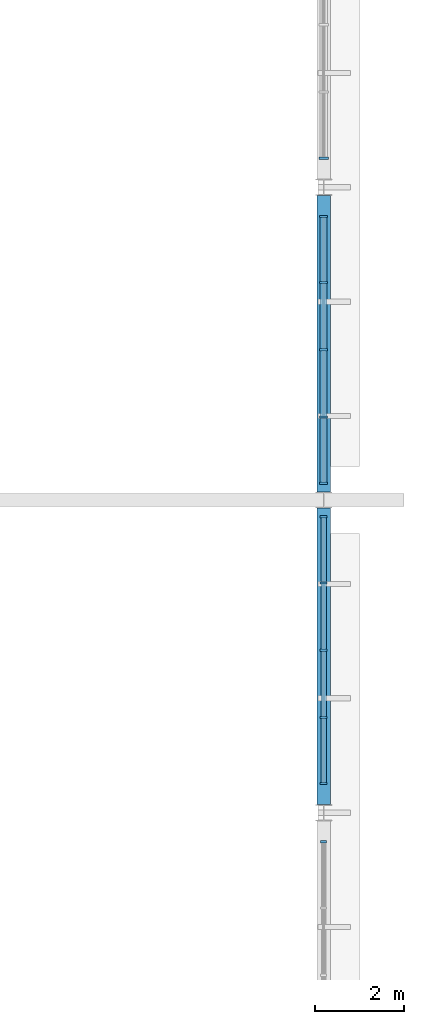
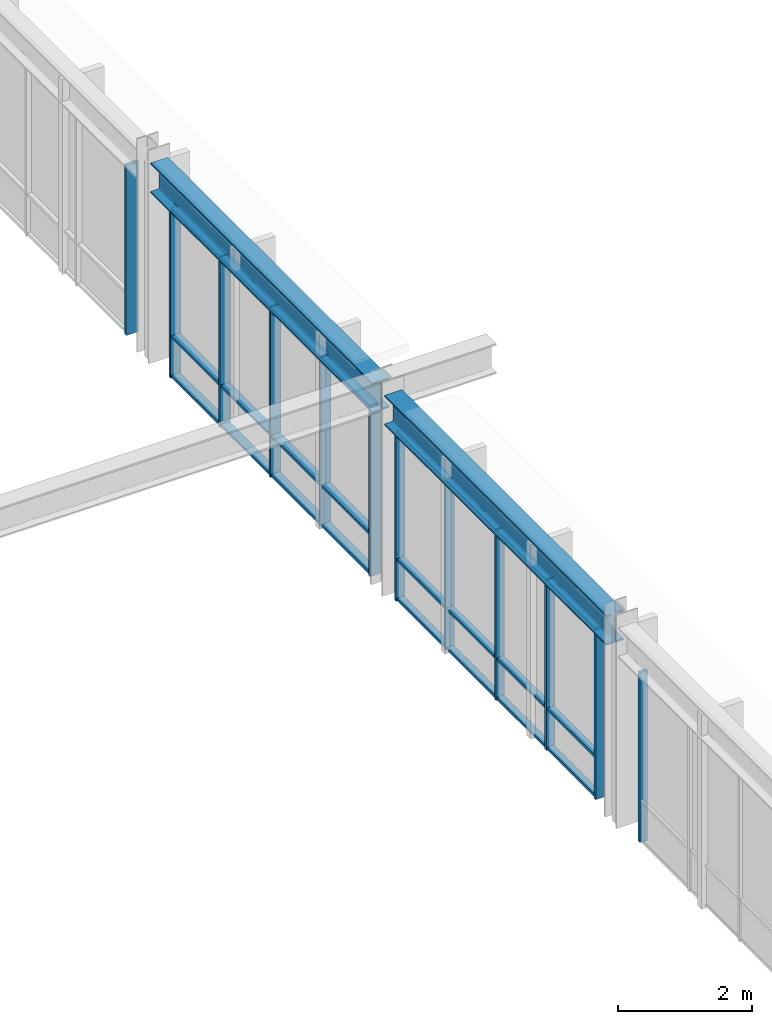
# One storey, part 33 of 98: 36 members, 2 beams, 4 elements without a shape of their own.
"""IFC4 building model written with IfcOpenShell, lengths in metres."""

from ifc_helpers import new_model, si_unit, direction, frame, origin, origin_2d, place, context, subcontext, project, spatial, rectangle, i_section, extrude, material, material_profile, profile_set, type_object, element, aggregate, save


model = new_model("IFC4")

# Units and contexts
model_context = context("Model", 3, precision=1e-05, world=origin(), true_north=direction((0.0, 1.0)))
body_context = subcontext(model_context, "Body", "Model", "MODEL_VIEW")
ifc_project = project(units=[si_unit("LENGTHUNIT", "METRE"), si_unit("AREAUNIT", "SQUARE_METRE"), si_unit("VOLUMEUNIT", "CUBIC_METRE"), si_unit("PLANEANGLEUNIT", "RADIAN"), si_unit("MASSUNIT", "GRAM", prefix="KILO")], contexts=[model_context])

# Site, building, storey
site_placement = place(None, origin())
site = spatial("IfcSite", under=ifc_project, at=site_placement, CompositionType="ELEMENT")
building_placement = place(site_placement, origin())
building = spatial("IfcBuilding", under=site, at=building_placement, Name="Larkveld Mobility Hub", CompositionType="ELEMENT")
storey_placement = place(building_placement, frame((0.0, 0.0, 4.5)))
storey = spatial("IfcBuildingStorey", under=building, at=storey_placement, Name="L01", CompositionType="ELEMENT", Elevation=4.5)

# Beams
ifc_material_1 = material(Name="Steel S355JR", Category="steel")
ifc_material_profile_1 = material_profile(ifc_material_1, i_section(OverallWidth=0.300048828125, OverallDepth=0.550048828125, WebThickness=0.014892578125, FlangeThickness=0.029052734375, FilletRadius=0.027099609375, at=origin_2d()), Name="HEB 550")
ifc_profile_set_1 = profile_set([ifc_material_profile_1], Name="Steel S355JR")
beam_type = type_object("IfcBeamType", Name="BM-STHEB550", PredefinedType="BEAM", material=ifc_profile_set_1)
for number, where, z_axis, x_axis, name in (
    (1, (184.0, 49.18408203125, 3.385009765625), (0.0, 1.0, 0.0), (-1.0, 0.0, 0.0), "Primary N-S Girder L01-0473"),
    (2, (184.0, 56.18408203125, 3.385009765625), (0.0, 1.0, 0.0), (-1.0, 0.0, 0.0), "Primary N-S Girder L01-0474"),
):
    element("IfcBeam", number, at=place(storey_placement, frame(where, z_axis=z_axis, x_axis=x_axis)), inside=storey, type_object=beam_type, Name=name, PredefinedType="BEAM", context=body_context, shape_type="SweptSolid", body=[
        extrude(i_section(OverallWidth=0.300048828125, OverallDepth=0.550048828125, WebThickness=0.014892578125, FlangeThickness=0.029052734375, FilletRadius=0.027099609375, at=origin_2d()), origin(), (0.0, 0.0, 1.0), 6.6318359375),
    ])

# Curtain wall, members
ifc_material_2 = material(Name="Anodised aluminium 6063-T6", Category="aluminium")
curtain_wall_type_1 = type_object("IfcCurtainWallType", Name="CW-SYS-05", PredefinedType="NOTDEFINED", material=ifc_material_2)
curtain_wall_1_placement = place(storey_placement, origin())
curtain_wall_1 = element("IfcCurtainWall", 3, at=curtain_wall_1_placement, inside=storey, type_object=curtain_wall_type_1, Name="Bus Hall Upper East Glazing B2 CW-053", PredefinedType="NOTDEFINED")
ifc_material_profile_2 = material_profile(ifc_material_2, rectangle(XDim=0.050048828125, YDim=0.14990234375, at=origin_2d()), Name="ALU MULL 50x150")
ifc_profile_set_2 = profile_set([ifc_material_profile_2], Name="Anodised aluminium 6063-T6")
member_type_1 = type_object("IfcMemberType", Name="CW-MUL-01", PredefinedType="MULLION", material=ifc_profile_set_2)
member_1_placement = place(storey_placement, frame((184.0, 49.65087890625, -0.001953125), z_axis=(0.0, 0.0, 1.0), x_axis=(0.0, 1.0, 0.0)))
member_1 = element("IfcMember", 4, at=member_1_placement, type_object=member_type_1, Name="CW05 mullion 1", PredefinedType="MULLION", context=body_context, shape_type="SweptSolid", body=[
    extrude(rectangle(XDim=0.050048828125, YDim=0.14990234375, at=origin_2d()), origin(), (0.0, 0.0, 1.0), 3.112060546875),
])
member_2_placement = place(storey_placement, frame((184.0, 51.132080078125, -0.001953125), z_axis=(0.0, 0.0, 1.0), x_axis=(0.0, 1.0, 0.0)))
member_2 = element("IfcMember", 5, at=member_2_placement, type_object=member_type_1, Name="CW05 mullion 2", PredefinedType="MULLION", context=body_context, shape_type="SweptSolid", body=[
    extrude(rectangle(XDim=0.050048828125, YDim=0.14990234375, at=origin_2d()), origin(), (0.0, 0.0, 1.0), 3.112060546875),
])
member_3_placement = place(storey_placement, frame((184.0, 52.637939453125, -0.001953125), z_axis=(0.0, 0.0, 1.0), x_axis=(0.0, 1.0, 0.0)))
member_3 = element("IfcMember", 6, at=member_3_placement, type_object=member_type_1, Name="CW05 mullion 3", PredefinedType="MULLION", context=body_context, shape_type="SweptSolid", body=[
    extrude(rectangle(XDim=0.050048828125, YDim=0.14990234375, at=origin_2d()), origin(), (0.0, 0.0, 1.0), 3.112060546875),
])
member_4_placement = place(storey_placement, frame((184.0, 54.14404296875, -0.001953125), z_axis=(0.0, 0.0, 1.0), x_axis=(0.0, 1.0, 0.0)))
member_4 = element("IfcMember", 7, at=member_4_placement, type_object=member_type_1, Name="CW05 mullion 4", PredefinedType="MULLION", context=body_context, shape_type="SweptSolid", body=[
    extrude(rectangle(XDim=0.050048828125, YDim=0.14990234375, at=origin_2d()), origin(), (0.0, 0.0, 1.0), 3.112060546875),
])
member_5_placement = place(storey_placement, frame((184.0, 55.625, -0.001953125), z_axis=(0.0, 0.0, 1.0), x_axis=(0.0, 1.0, 0.0)))
member_5 = element("IfcMember", 8, at=member_5_placement, type_object=member_type_1, Name="CW05 mullion 5", PredefinedType="MULLION", context=body_context, shape_type="SweptSolid", body=[
    extrude(rectangle(XDim=0.050048828125, YDim=0.14990234375, at=origin_2d()), origin(), (0.0, 0.0, 1.0), 3.112060546875),
])

curtain_wall_type_2 = type_object("IfcCurtainWallType", Name="CW-SYS-06", PredefinedType="NOTDEFINED", material=ifc_material_2)
curtain_wall_2_placement = place(storey_placement, origin())
curtain_wall_2 = element("IfcCurtainWall", 9, at=curtain_wall_2_placement, inside=storey, type_object=curtain_wall_type_2, Name="Bus Hall Upper East Glazing B3 CW-054", PredefinedType="NOTDEFINED")
ifc_material_profile_3 = material_profile(ifc_material_2, rectangle(XDim=0.050048828125, YDim=0.179931640625, at=origin_2d()), Name="ALU MULL 50x180")
ifc_profile_set_3 = profile_set([ifc_material_profile_3], Name="Anodised aluminium 6063-T6")
member_type_2 = type_object("IfcMemberType", Name="CW-MUL-02", PredefinedType="MULLION", material=ifc_profile_set_3)
member_6_placement = place(storey_placement, frame((184.0, 56.375, -0.001953125), z_axis=(0.0, 0.0, 1.0), x_axis=(0.0, 1.0, 0.0)))
member_6 = element("IfcMember", 10, at=member_6_placement, type_object=member_type_2, Name="CW06 mullion 1", PredefinedType="MULLION", context=body_context, shape_type="SweptSolid", body=[
    extrude(rectangle(XDim=0.050048828125, YDim=0.179931640625, at=origin_2d()), origin(), (0.0, 0.0, 1.0), 3.112060546875),
])
member_7_placement = place(storey_placement, frame((184.0, 57.85595703125, -0.001953125), z_axis=(0.0, 0.0, 1.0), x_axis=(0.0, 1.0, 0.0)))
member_7 = element("IfcMember", 11, at=member_7_placement, type_object=member_type_2, Name="CW06 mullion 2", PredefinedType="MULLION", context=body_context, shape_type="SweptSolid", body=[
    extrude(rectangle(XDim=0.050048828125, YDim=0.179931640625, at=origin_2d()), origin(), (0.0, 0.0, 1.0), 3.112060546875),
])
member_8_placement = place(storey_placement, frame((184.0, 59.362060546875, -0.001953125), z_axis=(0.0, 0.0, 1.0), x_axis=(0.0, 1.0, 0.0)))
member_8 = element("IfcMember", 12, at=member_8_placement, type_object=member_type_2, Name="CW06 mullion 3", PredefinedType="MULLION", context=body_context, shape_type="SweptSolid", body=[
    extrude(rectangle(XDim=0.050048828125, YDim=0.179931640625, at=origin_2d()), origin(), (0.0, 0.0, 1.0), 3.112060546875),
])
member_9_placement = place(storey_placement, frame((184.0, 60.867919921875, -0.001953125), z_axis=(0.0, 0.0, 1.0), x_axis=(0.0, 1.0, 0.0)))
member_9 = element("IfcMember", 13, at=member_9_placement, type_object=member_type_2, Name="CW06 mullion 4", PredefinedType="MULLION", context=body_context, shape_type="SweptSolid", body=[
    extrude(rectangle(XDim=0.050048828125, YDim=0.179931640625, at=origin_2d()), origin(), (0.0, 0.0, 1.0), 3.112060546875),
])
member_10_placement = place(storey_placement, frame((184.0, 62.34912109375, -0.001953125), z_axis=(0.0, 0.0, 1.0), x_axis=(0.0, 1.0, 0.0)))
member_10 = element("IfcMember", 14, at=member_10_placement, type_object=member_type_2, Name="CW06 mullion 5", PredefinedType="MULLION", context=body_context, shape_type="SweptSolid", body=[
    extrude(rectangle(XDim=0.050048828125, YDim=0.179931640625, at=origin_2d()), origin(), (0.0, 0.0, 1.0), 3.112060546875),
])

# Curtain wall, member
curtain_wall_type_3 = type_object("IfcCurtainWallType", Name="CW-SYS-07", PredefinedType="NOTDEFINED", material=ifc_material_2)
curtain_wall_3_placement = place(storey_placement, origin())
curtain_wall_3 = element("IfcCurtainWall", 15, at=curtain_wall_3_placement, inside=storey, type_object=curtain_wall_type_3, Name="Bus Hall Upper East Glazing B3 CW-055", PredefinedType="NOTDEFINED")
ifc_material_profile_4 = material_profile(ifc_material_2, rectangle(XDim=0.050048828125, YDim=0.2099609375, at=origin_2d()), Name="ALU MULL 50x210")
ifc_profile_set_4 = profile_set([ifc_material_profile_4], Name="Anodised aluminium 6063-T6")
member_type_3 = type_object("IfcMemberType", Name="CW-MUL-03", PredefinedType="MULLION", material=ifc_profile_set_4)
member_11_placement = place(storey_placement, frame((184.0, 63.65087890625, -0.001953125), z_axis=(0.0, 0.0, 1.0), x_axis=(0.0, 1.0, 0.0)))
member_11 = element("IfcMember", 16, at=member_11_placement, type_object=member_type_3, Name="CW07 mullion 1", PredefinedType="MULLION", context=body_context, shape_type="SweptSolid", body=[
    extrude(rectangle(XDim=0.050048828125, YDim=0.2099609375, at=origin_2d()), origin(), (0.0, 0.0, 1.0), 3.112060546875),
])
aggregate(curtain_wall_3, [member_11])

curtain_wall_type_4 = type_object("IfcCurtainWallType", Name="CW-SYS-04", PredefinedType="NOTDEFINED", material=ifc_material_2)
curtain_wall_4_placement = place(storey_placement, origin())
curtain_wall_4 = element("IfcCurtainWall", 17, at=curtain_wall_4_placement, inside=storey, type_object=curtain_wall_type_4, Name="Bus Hall Upper East Glazing B2 CW-052", PredefinedType="NOTDEFINED")
ifc_material_profile_5 = material_profile(ifc_material_2, rectangle(XDim=0.050048828125, YDim=0.1298828125, at=origin_2d()), Name="ALU MULL 50x130")
ifc_profile_set_5 = profile_set([ifc_material_profile_5], Name="Anodised aluminium 6063-T6")
member_type_4 = type_object("IfcMemberType", Name="CW-MUL-04", PredefinedType="MULLION", material=ifc_profile_set_5)
member_12_placement = place(storey_placement, frame((184.0, 48.34912109375, -0.001953125), z_axis=(0.0, 0.0, 1.0), x_axis=(0.0, 1.0, 0.0)))
member_12 = element("IfcMember", 18, at=member_12_placement, type_object=member_type_4, Name="CW04 mullion 5", PredefinedType="MULLION", context=body_context, shape_type="SweptSolid", body=[
    extrude(rectangle(XDim=0.050048828125, YDim=0.1298828125, at=origin_2d()), origin(), (0.0, 0.0, 1.0), 3.112060546875),
])
aggregate(curtain_wall_4, [member_12])

# Member
ifc_material_profile_6 = material_profile(ifc_material_2, rectangle(XDim=0.1201171875, YDim=0.050048828125, at=origin_2d()), Name="ALU TRAN 50x120")
ifc_profile_set_6 = profile_set([ifc_material_profile_6], Name="Anodised aluminium 6063-T6")
member_type_5 = type_object("IfcMemberType", Name="CW-TRN-01", PredefinedType="USERDEFINED", material=ifc_profile_set_6)
member_13_placement = place(storey_placement, frame((184.0, 49.660888671875, 0.030029296875), z_axis=(0.0, 1.0, 0.0), x_axis=(-1.0, 0.0, 0.0)))
member_13 = element("IfcMember", 19, at=member_13_placement, type_object=member_type_5, Name="CW05 transom 1.1", ObjectType="TRANSOM", PredefinedType="USERDEFINED", context=body_context, shape_type="SweptSolid", body=[
    extrude(rectangle(XDim=0.1201171875, YDim=0.050048828125, at=origin_2d()), origin(), (0.0, 0.0, 1.0), 1.4560546875),
])

member_14_placement = place(storey_placement, frame((184.0, 49.660888671875, 0.75), z_axis=(0.0, 1.0, 0.0), x_axis=(-1.0, 0.0, 0.0)))
member_14 = element("IfcMember", 20, at=member_14_placement, type_object=member_type_5, Name="CW05 transom 1.2", ObjectType="TRANSOM", PredefinedType="USERDEFINED", context=body_context, shape_type="SweptSolid", body=[
    extrude(rectangle(XDim=0.1201171875, YDim=0.050048828125, at=origin_2d()), origin(), (0.0, 0.0, 1.0), 1.4560546875),
])

member_15_placement = place(storey_placement, frame((184.0, 49.660888671875, 3.077880859375), z_axis=(0.0, 1.0, 0.0), x_axis=(-1.0, 0.0, 0.0)))
member_15 = element("IfcMember", 21, at=member_15_placement, type_object=member_type_5, Name="CW05 transom 1.3", ObjectType="TRANSOM", PredefinedType="USERDEFINED", context=body_context, shape_type="SweptSolid", body=[
    extrude(rectangle(XDim=0.1201171875, YDim=0.050048828125, at=origin_2d()), origin(), (0.0, 0.0, 1.0), 1.4560546875),
])

member_16_placement = place(storey_placement, frame((184.0, 51.14697265625, 0.030029296875), z_axis=(0.0, 1.0, 0.0), x_axis=(-1.0, 0.0, 0.0)))
member_16 = element("IfcMember", 22, at=member_16_placement, type_object=member_type_5, Name="CW05 transom 2.1", ObjectType="TRANSOM", PredefinedType="USERDEFINED", context=body_context, shape_type="SweptSolid", body=[
    extrude(rectangle(XDim=0.1201171875, YDim=0.050048828125, at=origin_2d()), origin(), (0.0, 0.0, 1.0), 1.47607421875),
])

member_17_placement = place(storey_placement, frame((184.0, 51.14697265625, 0.75), z_axis=(0.0, 1.0, 0.0), x_axis=(-1.0, 0.0, 0.0)))
member_17 = element("IfcMember", 23, at=member_17_placement, type_object=member_type_5, Name="CW05 transom 2.2", ObjectType="TRANSOM", PredefinedType="USERDEFINED", context=body_context, shape_type="SweptSolid", body=[
    extrude(rectangle(XDim=0.1201171875, YDim=0.050048828125, at=origin_2d()), origin(), (0.0, 0.0, 1.0), 1.47607421875),
])

member_18_placement = place(storey_placement, frame((184.0, 51.14697265625, 3.077880859375), z_axis=(0.0, 1.0, 0.0), x_axis=(-1.0, 0.0, 0.0)))
member_18 = element("IfcMember", 24, at=member_18_placement, type_object=member_type_5, Name="CW05 transom 2.3", ObjectType="TRANSOM", PredefinedType="USERDEFINED", context=body_context, shape_type="SweptSolid", body=[
    extrude(rectangle(XDim=0.1201171875, YDim=0.050048828125, at=origin_2d()), origin(), (0.0, 0.0, 1.0), 1.47607421875),
])

member_19_placement = place(storey_placement, frame((184.0, 52.653076171875, 0.030029296875), z_axis=(0.0, 1.0, 0.0), x_axis=(-1.0, 0.0, 0.0)))
member_19 = element("IfcMember", 25, at=member_19_placement, type_object=member_type_5, Name="CW05 transom 3.1", ObjectType="TRANSOM", PredefinedType="USERDEFINED", context=body_context, shape_type="SweptSolid", body=[
    extrude(rectangle(XDim=0.1201171875, YDim=0.050048828125, at=origin_2d()), origin(), (0.0, 0.0, 1.0), 1.475830078125),
])

member_20_placement = place(storey_placement, frame((184.0, 52.653076171875, 0.75), z_axis=(0.0, 1.0, 0.0), x_axis=(-1.0, 0.0, 0.0)))
member_20 = element("IfcMember", 26, at=member_20_placement, type_object=member_type_5, Name="CW05 transom 3.2", ObjectType="TRANSOM", PredefinedType="USERDEFINED", context=body_context, shape_type="SweptSolid", body=[
    extrude(rectangle(XDim=0.1201171875, YDim=0.050048828125, at=origin_2d()), origin(), (0.0, 0.0, 1.0), 1.475830078125),
])

member_21_placement = place(storey_placement, frame((184.0, 52.653076171875, 3.077880859375), z_axis=(0.0, 1.0, 0.0), x_axis=(-1.0, 0.0, 0.0)))
member_21 = element("IfcMember", 27, at=member_21_placement, type_object=member_type_5, Name="CW05 transom 3.3", ObjectType="TRANSOM", PredefinedType="USERDEFINED", context=body_context, shape_type="SweptSolid", body=[
    extrude(rectangle(XDim=0.1201171875, YDim=0.050048828125, at=origin_2d()), origin(), (0.0, 0.0, 1.0), 1.475830078125),
])

member_22_placement = place(storey_placement, frame((184.0, 54.158935546875, 0.030029296875), z_axis=(0.0, 1.0, 0.0), x_axis=(-1.0, 0.0, 0.0)))
member_22 = element("IfcMember", 28, at=member_22_placement, type_object=member_type_5, Name="CW05 transom 4.1", ObjectType="TRANSOM", PredefinedType="USERDEFINED", context=body_context, shape_type="SweptSolid", body=[
    extrude(rectangle(XDim=0.1201171875, YDim=0.050048828125, at=origin_2d()), origin(), (0.0, 0.0, 1.0), 1.4560546875),
])

member_23_placement = place(storey_placement, frame((184.0, 54.158935546875, 0.75), z_axis=(0.0, 1.0, 0.0), x_axis=(-1.0, 0.0, 0.0)))
member_23 = element("IfcMember", 29, at=member_23_placement, type_object=member_type_5, Name="CW05 transom 4.2", ObjectType="TRANSOM", PredefinedType="USERDEFINED", context=body_context, shape_type="SweptSolid", body=[
    extrude(rectangle(XDim=0.1201171875, YDim=0.050048828125, at=origin_2d()), origin(), (0.0, 0.0, 1.0), 1.4560546875),
])

member_24_placement = place(storey_placement, frame((184.0, 54.158935546875, 3.077880859375), z_axis=(0.0, 1.0, 0.0), x_axis=(-1.0, 0.0, 0.0)))
member_24 = element("IfcMember", 30, at=member_24_placement, type_object=member_type_5, Name="CW05 transom 4.3", ObjectType="TRANSOM", PredefinedType="USERDEFINED", context=body_context, shape_type="SweptSolid", body=[
    extrude(rectangle(XDim=0.1201171875, YDim=0.050048828125, at=origin_2d()), origin(), (0.0, 0.0, 1.0), 1.4560546875),
])

aggregate(curtain_wall_1, [member_1, member_2, member_3, member_4, member_5, member_13, member_14, member_15, member_16, member_17, member_18, member_19, member_20, member_21, member_22, member_23, member_24])

ifc_material_profile_7 = material_profile(ifc_material_2, rectangle(XDim=0.14990234375, YDim=0.050048828125, at=origin_2d()), Name="ALU TRAN 50x150")
ifc_profile_set_7 = profile_set([ifc_material_profile_7], Name="Anodised aluminium 6063-T6")
member_type_6 = type_object("IfcMemberType", Name="CW-TRN-02", PredefinedType="USERDEFINED", material=ifc_profile_set_7)
member_25_placement = place(storey_placement, frame((184.0, 56.385009765625, 0.030029296875), z_axis=(0.0, 1.0, 0.0), x_axis=(-1.0, 0.0, 0.0)))
member_25 = element("IfcMember", 31, at=member_25_placement, type_object=member_type_6, Name="CW06 transom 1.1", ObjectType="TRANSOM", PredefinedType="USERDEFINED", context=body_context, shape_type="SweptSolid", body=[
    extrude(rectangle(XDim=0.14990234375, YDim=0.050048828125, at=origin_2d()), origin(), (0.0, 0.0, 1.0), 1.4560546875),
])

member_26_placement = place(storey_placement, frame((184.0, 56.385009765625, 0.75), z_axis=(0.0, 1.0, 0.0), x_axis=(-1.0, 0.0, 0.0)))
member_26 = element("IfcMember", 32, at=member_26_placement, type_object=member_type_6, Name="CW06 transom 1.2", ObjectType="TRANSOM", PredefinedType="USERDEFINED", context=body_context, shape_type="SweptSolid", body=[
    extrude(rectangle(XDim=0.14990234375, YDim=0.050048828125, at=origin_2d()), origin(), (0.0, 0.0, 1.0), 1.4560546875),
])

member_27_placement = place(storey_placement, frame((184.0, 56.385009765625, 3.077880859375), z_axis=(0.0, 1.0, 0.0), x_axis=(-1.0, 0.0, 0.0)))
member_27 = element("IfcMember", 33, at=member_27_placement, type_object=member_type_6, Name="CW06 transom 1.3", ObjectType="TRANSOM", PredefinedType="USERDEFINED", context=body_context, shape_type="SweptSolid", body=[
    extrude(rectangle(XDim=0.14990234375, YDim=0.050048828125, at=origin_2d()), origin(), (0.0, 0.0, 1.0), 1.4560546875),
])

member_28_placement = place(storey_placement, frame((184.0, 57.87109375, 0.030029296875), z_axis=(0.0, 1.0, 0.0), x_axis=(-1.0, 0.0, 0.0)))
member_28 = element("IfcMember", 34, at=member_28_placement, type_object=member_type_6, Name="CW06 transom 2.1", ObjectType="TRANSOM", PredefinedType="USERDEFINED", context=body_context, shape_type="SweptSolid", body=[
    extrude(rectangle(XDim=0.14990234375, YDim=0.050048828125, at=origin_2d()), origin(), (0.0, 0.0, 1.0), 1.475830078125),
])

member_29_placement = place(storey_placement, frame((184.0, 57.87109375, 0.75), z_axis=(0.0, 1.0, 0.0), x_axis=(-1.0, 0.0, 0.0)))
member_29 = element("IfcMember", 35, at=member_29_placement, type_object=member_type_6, Name="CW06 transom 2.2", ObjectType="TRANSOM", PredefinedType="USERDEFINED", context=body_context, shape_type="SweptSolid", body=[
    extrude(rectangle(XDim=0.14990234375, YDim=0.050048828125, at=origin_2d()), origin(), (0.0, 0.0, 1.0), 1.475830078125),
])

member_30_placement = place(storey_placement, frame((184.0, 57.87109375, 3.077880859375), z_axis=(0.0, 1.0, 0.0), x_axis=(-1.0, 0.0, 0.0)))
member_30 = element("IfcMember", 36, at=member_30_placement, type_object=member_type_6, Name="CW06 transom 2.3", ObjectType="TRANSOM", PredefinedType="USERDEFINED", context=body_context, shape_type="SweptSolid", body=[
    extrude(rectangle(XDim=0.14990234375, YDim=0.050048828125, at=origin_2d()), origin(), (0.0, 0.0, 1.0), 1.475830078125),
])

member_31_placement = place(storey_placement, frame((184.0, 59.376953125, 0.030029296875), z_axis=(0.0, 1.0, 0.0), x_axis=(-1.0, 0.0, 0.0)))
member_31 = element("IfcMember", 37, at=member_31_placement, type_object=member_type_6, Name="CW06 transom 3.1", ObjectType="TRANSOM", PredefinedType="USERDEFINED", context=body_context, shape_type="SweptSolid", body=[
    extrude(rectangle(XDim=0.14990234375, YDim=0.050048828125, at=origin_2d()), origin(), (0.0, 0.0, 1.0), 1.47607421875),
])

member_32_placement = place(storey_placement, frame((184.0, 59.376953125, 0.75), z_axis=(0.0, 1.0, 0.0), x_axis=(-1.0, 0.0, 0.0)))
member_32 = element("IfcMember", 38, at=member_32_placement, type_object=member_type_6, Name="CW06 transom 3.2", ObjectType="TRANSOM", PredefinedType="USERDEFINED", context=body_context, shape_type="SweptSolid", body=[
    extrude(rectangle(XDim=0.14990234375, YDim=0.050048828125, at=origin_2d()), origin(), (0.0, 0.0, 1.0), 1.47607421875),
])

member_33_placement = place(storey_placement, frame((184.0, 59.376953125, 3.077880859375), z_axis=(0.0, 1.0, 0.0), x_axis=(-1.0, 0.0, 0.0)))
member_33 = element("IfcMember", 39, at=member_33_placement, type_object=member_type_6, Name="CW06 transom 3.3", ObjectType="TRANSOM", PredefinedType="USERDEFINED", context=body_context, shape_type="SweptSolid", body=[
    extrude(rectangle(XDim=0.14990234375, YDim=0.050048828125, at=origin_2d()), origin(), (0.0, 0.0, 1.0), 1.47607421875),
])

member_34_placement = place(storey_placement, frame((184.0, 60.883056640625, 0.030029296875), z_axis=(0.0, 1.0, 0.0), x_axis=(-1.0, 0.0, 0.0)))
member_34 = element("IfcMember", 40, at=member_34_placement, type_object=member_type_6, Name="CW06 transom 4.1", ObjectType="TRANSOM", PredefinedType="USERDEFINED", context=body_context, shape_type="SweptSolid", body=[
    extrude(rectangle(XDim=0.14990234375, YDim=0.050048828125, at=origin_2d()), origin(), (0.0, 0.0, 1.0), 1.4560546875),
])

member_35_placement = place(storey_placement, frame((184.0, 60.883056640625, 0.75), z_axis=(0.0, 1.0, 0.0), x_axis=(-1.0, 0.0, 0.0)))
member_35 = element("IfcMember", 41, at=member_35_placement, type_object=member_type_6, Name="CW06 transom 4.2", ObjectType="TRANSOM", PredefinedType="USERDEFINED", context=body_context, shape_type="SweptSolid", body=[
    extrude(rectangle(XDim=0.14990234375, YDim=0.050048828125, at=origin_2d()), origin(), (0.0, 0.0, 1.0), 1.4560546875),
])

member_36_placement = place(storey_placement, frame((184.0, 60.883056640625, 3.077880859375), z_axis=(0.0, 1.0, 0.0), x_axis=(-1.0, 0.0, 0.0)))
member_36 = element("IfcMember", 42, at=member_36_placement, type_object=member_type_6, Name="CW06 transom 4.3", ObjectType="TRANSOM", PredefinedType="USERDEFINED", context=body_context, shape_type="SweptSolid", body=[
    extrude(rectangle(XDim=0.14990234375, YDim=0.050048828125, at=origin_2d()), origin(), (0.0, 0.0, 1.0), 1.4560546875),
])

aggregate(curtain_wall_2, [member_6, member_7, member_8, member_9, member_10, member_25, member_26, member_27, member_28, member_29, member_30, member_31, member_32, member_33, member_34, member_35, member_36])

save(model, "model.ifc")
